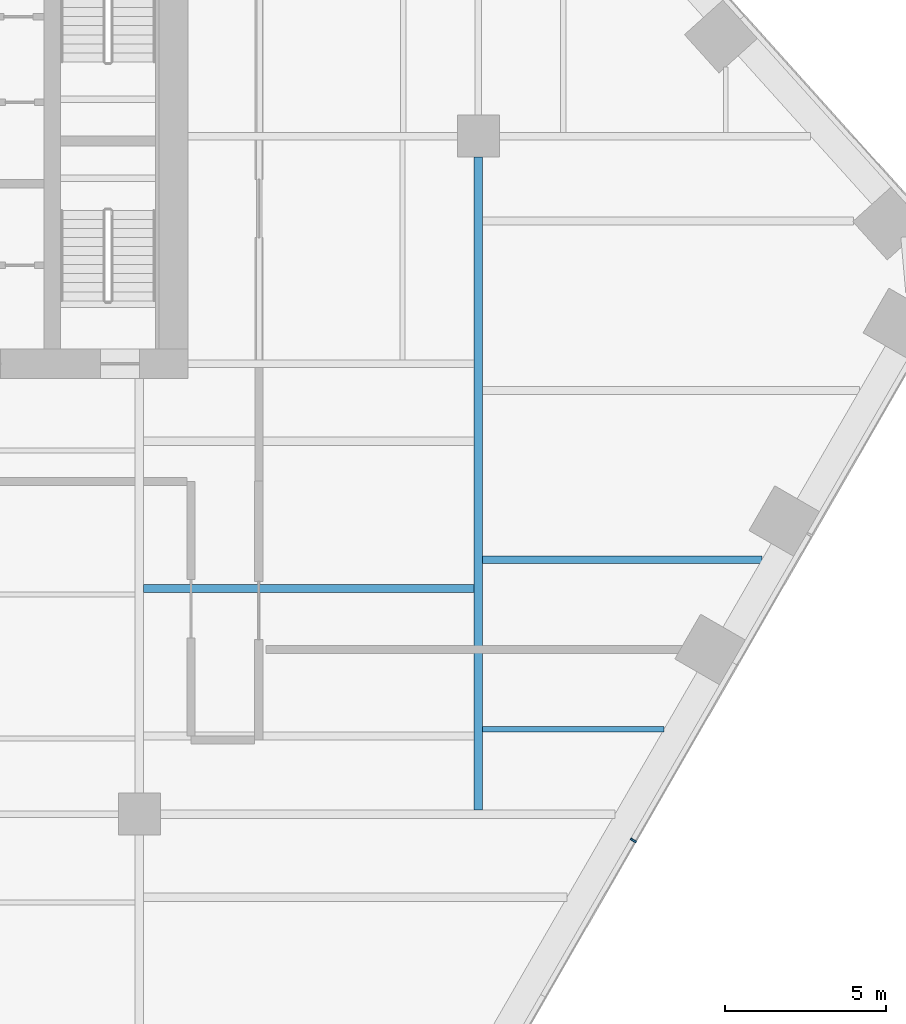
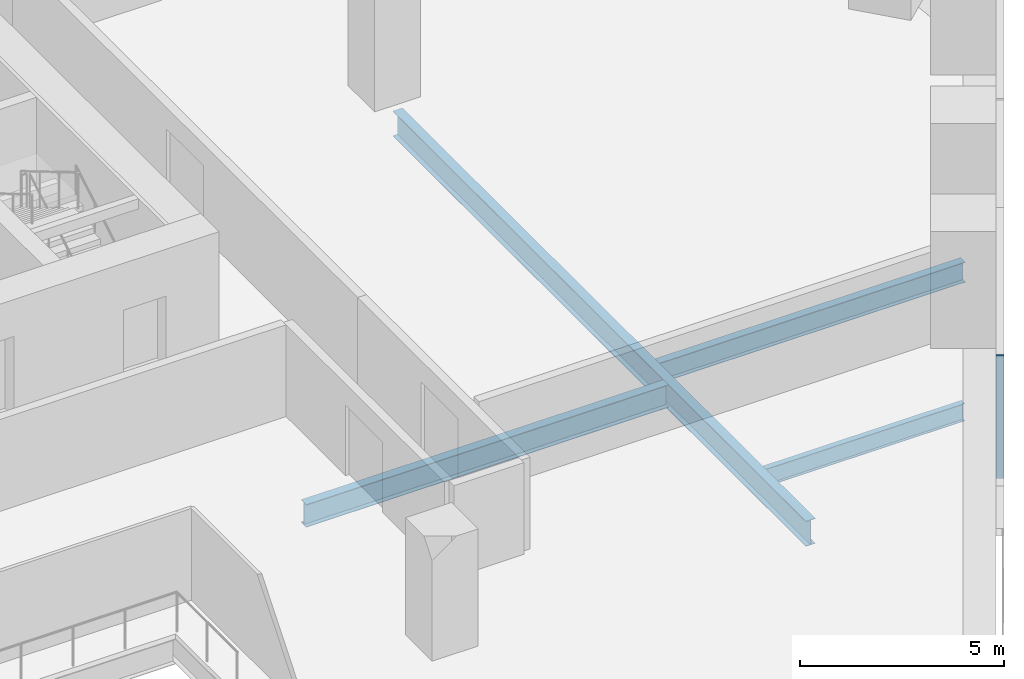
# One storey, part 7 of 19: 4 beams, 1 member, 1 element without a shape of its own.
"""IFC4 building model written with IfcOpenShell, lengths in metres."""

from ifc_helpers import new_model, si_unit, direction, frame, origin, origin_2d, place, context, subcontext, project, spatial, rectangle, i_section, extrude, material, layer, layer_set, material_profile, profile_set, type_object, element, aggregate, save


model = new_model("IFC4")

# Units and contexts
model_context = context("Model", 3, precision=1e-05, world=origin(), true_north=direction((0.0, 1.0)))
body_context = subcontext(model_context, "Body", "Model", "MODEL_VIEW")
ifc_project = project(units=[si_unit("LENGTHUNIT", "METRE"), si_unit("AREAUNIT", "SQUARE_METRE"), si_unit("VOLUMEUNIT", "CUBIC_METRE"), si_unit("PLANEANGLEUNIT", "RADIAN"), si_unit("MASSUNIT", "GRAM", prefix="KILO")], contexts=[model_context])

# Site, building, storey
site_placement = place(None, origin())
site = spatial("IfcSite", under=ifc_project, at=site_placement, CompositionType="ELEMENT")
building_placement = place(site_placement, origin())
building = spatial("IfcBuilding", under=site, at=building_placement, Name="Isthmus Gate Tower", CompositionType="ELEMENT")
storey_placement = place(building_placement, frame((0.0, 0.0, 91.60009765625)))
storey = spatial("IfcBuildingStorey", under=building, at=storey_placement, Name="L21", CompositionType="ELEMENT", Elevation=91.60009765625)

# Curtain wall, member
ifc_material_1 = material(Name="Aluminium, pale champagne anodised", Category="aluminium")
ifc_layer = layer(ifc_material_1, 0.199951171875)
ifc_layer_set = layer_set([ifc_layer], Name="CW-1 UNITISED CURTAIN WALL 200 DEEP")
curtain_wall_type = type_object("IfcCurtainWallType", Name="CW-1 UNITISED CURTAIN WALL 200 DEEP", PredefinedType="NOTDEFINED", material=ifc_layer_set)
curtain_wall_placement = place(storey_placement, origin())
curtain_wall = element("IfcCurtainWall", 1, at=curtain_wall_placement, inside=storey, type_object=curtain_wall_type, Name="CW-1 SE L21", PredefinedType="NOTDEFINED")
ifc_material_2 = material(Name="Aluminium, pale champagne anodised", Category="aluminium")
ifc_material_profile_1 = material_profile(ifc_material_2, rectangle(XDim=0.06005859375, YDim=0.199951171875, at=origin_2d()), Name="60x200")
ifc_profile_set_1 = profile_set([ifc_material_profile_1], Name="Aluminium, pale champagne anodised")
member_type = type_object("IfcMemberType", Name="CW-1 MULLION 60 X 200", PredefinedType="MULLION", material=ifc_profile_set_1)
member_placement = place(storey_placement, frame((28.802001953125, -14.3134765625, 0.0), z_axis=(0.0, 0.0, 1.0), x_axis=(0.5, 0.866025403784, 0.0)))
member = element("IfcMember", 2, at=member_placement, type_object=member_type, Name="CW-1 mullion", PredefinedType="MULLION", context=body_context, shape_type="SweptSolid", body=[
    extrude(rectangle(XDim=0.06005859375, YDim=0.199951171875, at=origin_2d()), origin(), (0.0, 0.0, 1.0), 3.64990234375),
])
aggregate(curtain_wall, [member])

# Beams
ifc_material_3 = material(Name="Structural steel ASTM A992 Gr 50", Category="steel")
ifc_material_profile_2 = material_profile(ifc_material_3, i_section(OverallWidth=0.1650390625, OverallDepth=0.52392578125, WebThickness=0.009521484375, FlangeThickness=0.010986328125, at=origin_2d()), Name="W21X44")
ifc_profile_set_2 = profile_set([ifc_material_profile_2], Name="Structural steel ASTM A992 Gr 50")
beam_type_1 = type_object("IfcBeamType", Name="STEEL FLOOR BEAM W21X44", PredefinedType="JOIST", material=ifc_profile_set_2)
beam_1_placement = place(storey_placement, frame((24.13330078125, -10.875, -0.412109375), z_axis=(1.0, 0.0, 0.0), x_axis=(0.0, 1.0, 0.0)))
element("IfcBeam", 3, at=beam_1_placement, inside=storey, type_object=beam_type_1, Name="str-beam-L21-34-00", PredefinedType="JOIST", context=body_context, shape_type="SweptSolid", body=[
    extrude(i_section(OverallWidth=0.1650390625, OverallDepth=0.52392578125, WebThickness=0.009521484375, FlangeThickness=0.010986328125, at=origin_2d()), origin(), (0.0, 0.0, 1.0), 5.61474609375),
])
ifc_material_4 = material(Name="Structural steel ASTM A992 Gr 50", Category="steel")
ifc_material_profile_3 = material_profile(ifc_material_4, i_section(OverallWidth=0.228515625, OverallDepth=0.603271484375, WebThickness=0.010986328125, FlangeThickness=0.014404296875, at=origin_2d()), Name="W24X68")
ifc_profile_set_3 = profile_set([ifc_material_profile_3], Name="Structural steel ASTM A992 Gr 50")
beam_type_2 = type_object("IfcBeamType", Name="STEEL FLOOR BEAM W24X68", PredefinedType="JOIST", material=ifc_profile_set_3)
beam_2_placement = place(storey_placement, frame((24.13330078125, -5.625, -0.45166015625), z_axis=(1.0, 0.0, 0.0), x_axis=(0.0, 1.0, 0.0)))
element("IfcBeam", 4, at=beam_2_placement, inside=storey, type_object=beam_type_2, Name="str-beam-L21-34-01", PredefinedType="JOIST", context=body_context, shape_type="SweptSolid", body=[
    extrude(i_section(OverallWidth=0.228515625, OverallDepth=0.603271484375, WebThickness=0.010986328125, FlangeThickness=0.014404296875, at=origin_2d()), origin(), (0.0, 0.0, 1.0), 8.645751953125),
])
ifc_material_5 = material(Name="Structural steel ASTM A992 Gr 50", Category="steel")
ifc_material_profile_4 = material_profile(ifc_material_5, i_section(OverallWidth=0.25390625, OverallDepth=0.679443359375, WebThickness=0.010986328125, FlangeThickness=0.015869140625, at=origin_2d()), Name="W27X84")
ifc_profile_set_4 = profile_set([ifc_material_profile_4], Name="Structural steel ASTM A992 Gr 50")
beam_type_3 = type_object("IfcBeamType", Name="STEEL FLOOR BEAM W27X84", PredefinedType="JOIST", material=ifc_profile_set_4)
beam_3_placement = place(storey_placement, frame((13.6318359375, -6.515380859375, -0.48974609375), z_axis=(1.0, 0.0, 0.0), x_axis=(0.0, 1.0, 0.0)))
element("IfcBeam", 5, at=beam_3_placement, inside=storey, type_object=beam_type_3, Name="str-beam-L21-27-01", PredefinedType="JOIST", context=body_context, shape_type="SweptSolid", body=[
    extrude(i_section(OverallWidth=0.25390625, OverallDepth=0.679443359375, WebThickness=0.010986328125, FlangeThickness=0.015869140625, at=origin_2d()), origin(), (0.0, 0.0, 1.0), 10.23486328125),
])
ifc_material_6 = material(Name="Structural steel ASTM A992 Gr 50", Category="steel")
ifc_material_profile_5 = material_profile(ifc_material_6, i_section(OverallWidth=0.2666015625, OverallDepth=0.7587890625, WebThickness=0.014404296875, FlangeThickness=0.01904296875, at=origin_2d()), Name="W30X108")
ifc_profile_set_5 = profile_set([ifc_material_profile_5], Name="Structural steel ASTM A992 Gr 50")
beam_type_4 = type_object("IfcBeamType", Name="STEEL GIRDER W30X108", PredefinedType="BEAM", material=ifc_profile_set_5)
beam_4_placement = place(storey_placement, frame((24.0, -13.36669921875, -0.529541015625), z_axis=(0.0, 1.0, 0.0), x_axis=(-1.0, 0.0, 0.0)))
element("IfcBeam", 6, at=beam_4_placement, inside=storey, type_object=beam_type_4, Name="str-girder-L21-36", PredefinedType="BEAM", context=body_context, shape_type="SweptSolid", body=[
    extrude(i_section(OverallWidth=0.2666015625, OverallDepth=0.7587890625, WebThickness=0.014404296875, FlangeThickness=0.01904296875, at=origin_2d()), origin(), (0.0, 0.0, 1.0), 20.216796875),
])

save(model, "model.ifc")
